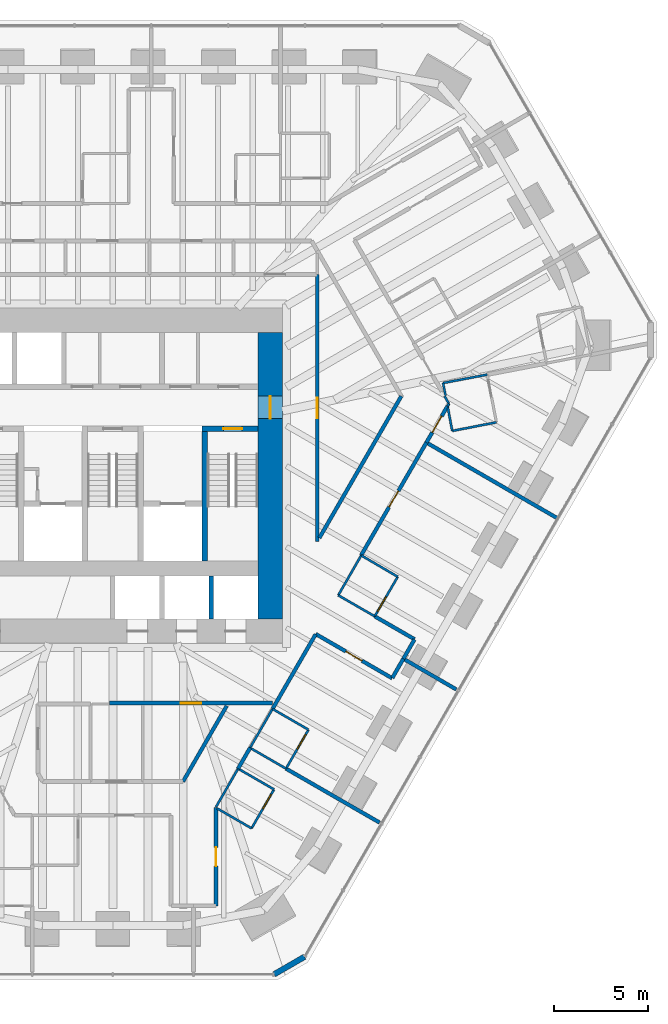
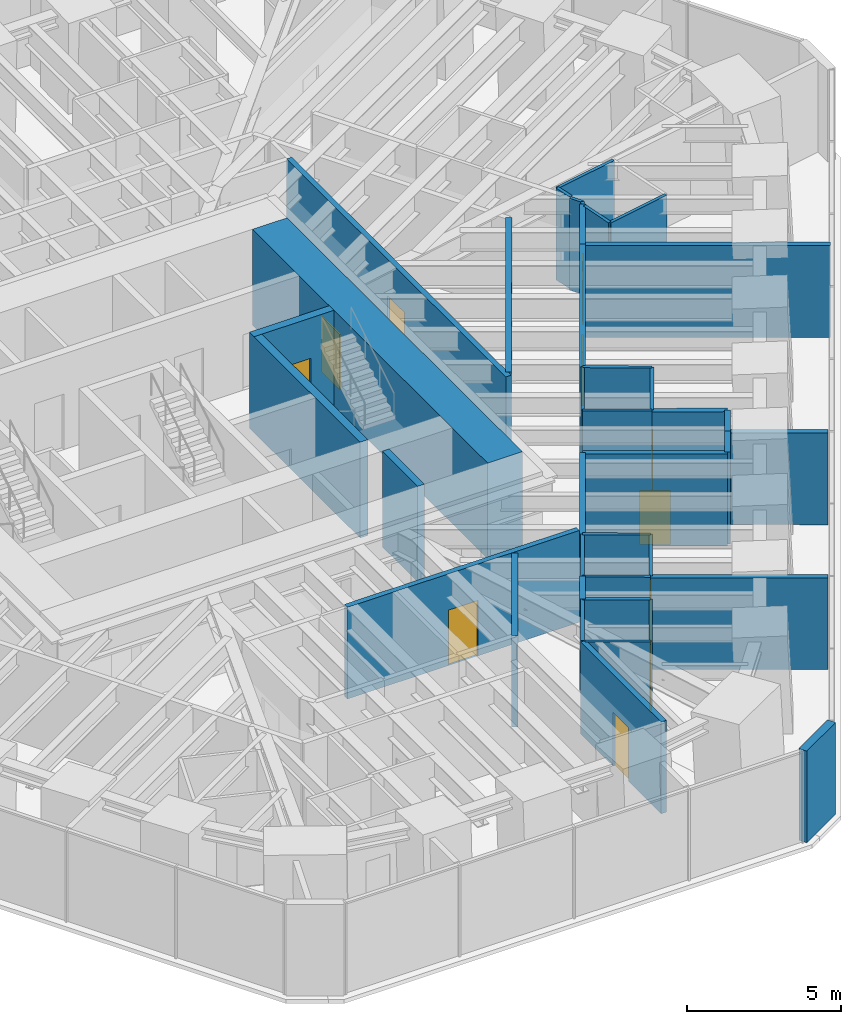
# One storey, part 13 of 17: 39 walls, 11 doors, 11 openings.
"""IFC4 building model written with IfcOpenShell, lengths in metres."""

from ifc_helpers import new_model, si_unit, direction, frame, frame_2d, origin, place, context, subcontext, project, spatial, rectangle, extrude, material, layer, layer_set, type_object, element, fill, save


model = new_model("IFC4")

# Units and contexts
model_context = context("Model", 3, precision=1e-05, world=origin(), true_north=direction((0.0, 1.0)))
body_context = subcontext(model_context, "Body", "Model", "MODEL_VIEW")
ifc_project = project(units=[si_unit("LENGTHUNIT", "METRE"), si_unit("AREAUNIT", "SQUARE_METRE"), si_unit("VOLUMEUNIT", "CUBIC_METRE"), si_unit("PLANEANGLEUNIT", "RADIAN"), si_unit("MASSUNIT", "GRAM", prefix="KILO")], contexts=[model_context])

# Site, building, storey
site_placement = place(None, origin())
site = spatial("IfcSite", under=ifc_project, at=site_placement, CompositionType="ELEMENT")
building_placement = place(site_placement, origin())
building = spatial("IfcBuilding", under=site, at=building_placement, Name="Sandreach Pilgrim Tower", CompositionType="ELEMENT")
storey_placement = place(building_placement, frame((0.0, 0.0, 169.0)))
storey = spatial("IfcBuildingStorey", under=building, at=storey_placement, Name="L42", CompositionType="ELEMENT", Elevation=169.0)

# Walls
ifc_material_1 = material(Name="Moisture-resistant gypsum board on steel studs", Category="steel")
ifc_layer_1 = layer(ifc_material_1, 0.1201171875)
ifc_layer_set_1 = layer_set([ifc_layer_1], Name="Bathroom partition 120")
wall_type_1 = type_object("IfcWallType", Name="Bathroom partition 120", PredefinedType="PARTITIONING", material=ifc_layer_set_1)
wall_1_placement = place(storey_placement, frame((5.510009765625, -19.25, 0.0), z_axis=(0.0, 0.0, 1.0), x_axis=(0.498837591974, 0.866695481028, 0.0)))
element("IfcWall", 1, at=wall_1_placement, inside=storey, type_object=wall_type_1, Name="Bathroom partition L42-111", PredefinedType="PARTITIONING", context=body_context, shape_type="SweptSolid", body=[
    extrude(rectangle(XDim=2.365478515625, YDim=0.1201171875, at=frame_2d((1.1826171875, 0.0))), origin(), (0.0, 0.0, 1.0), 3.639892578125),
])
wall_2_placement = place(storey_placement, frame((5.566162109375, -19.322509765625, 0.0), z_axis=(0.0, 0.0, 1.0), x_axis=(0.865436746432, -0.501018201192, 0.0)))
element("IfcWall", 2, at=wall_2_placement, inside=storey, type_object=wall_type_1, Name="Bathroom partition L42-112", PredefinedType="PARTITIONING", context=body_context, shape_type="SweptSolid", body=[
    extrude(rectangle(XDim=2.13037109375, YDim=0.1201171875, at=frame_2d((1.065185546875, 0.0))), origin(), (0.0, 0.0, 1.0), 3.639892578125),
])
wall_3_placement = place(storey_placement, frame((7.330078125, -16.090087890625, 0.0), z_axis=(0.0, 0.0, 1.0), x_axis=(0.499693115345, 0.866202511239, 0.0)))
element("IfcWall", 3, at=wall_3_placement, inside=storey, type_object=wall_type_1, Name="Bathroom partition L42-120", PredefinedType="PARTITIONING", context=body_context, shape_type="SweptSolid", body=[
    extrude(rectangle(XDim=2.4013671875, YDim=0.1201171875, at=frame_2d((1.20068359375, 0.0))), origin(), (0.0, 0.0, 1.0), 3.639892578125),
])
wall_4_placement = place(storey_placement, frame((7.330078125, -16.090087890625, 0.0), z_axis=(0.0, 0.0, 1.0), x_axis=(0.86575271903, -0.500472006703, 0.0)))
element("IfcWall", 4, at=wall_4_placement, inside=storey, type_object=wall_type_1, Name="Bathroom partition L42-121", PredefinedType="PARTITIONING", context=body_context, shape_type="SweptSolid", body=[
    extrude(rectangle(XDim=2.217529296875, YDim=0.1201171875, at=frame_2d((1.10888671875, 0.0))), origin(), (0.0, 0.0, 1.0), 3.639892578125),
])

# Wall, opening, door
wall_5_placement = place(storey_placement, frame((7.409912109375, -20.389892578125, 0.0), z_axis=(0.0, 0.0, 1.0), x_axis=(0.499737123639, 0.866177122335, 0.0)))
wall_5 = element("IfcWall", 5, at=wall_5_placement, inside=storey, type_object=wall_type_1, Name="Bathroom partition L42-122", PredefinedType="PARTITIONING", context=body_context, shape_type="SweptSolid", body=[
    extrude(rectangle(XDim=2.401123046875, YDim=0.1201171875, at=frame_2d((1.20068359375, 0.0))), origin(), (0.0, 0.0, 1.0), 3.639892578125),
])
opening_1_placement = place(wall_5_placement, frame((1.201416015625, 0.0, 0.0)))
opening_1 = element("IfcOpeningElement", 6, at=opening_1_placement, cuts=wall_5, Name="Opening D09-10B", PredefinedType="OPENING", context=body_context, shape_type="SweptSolid", body=[
    extrude(rectangle(XDim=0.89990234375, YDim=2.030029296875, at=frame_2d((0.449951171875, 1.01513671875))), frame((0.0, 0.06005859375, 0.0), z_axis=(0.0, -1.0, 0.0), x_axis=(1.0, 0.0, 0.0)), (0.0, 0.0, 1.0), 0.1201171875),
])
ifc_material_2 = material(Name="Timber door, steel frame", Category="steel")
door_type_1 = type_object("IfcDoorType", Name="Bathroom door", OperationType="SINGLE_SWING_LEFT", PredefinedType="DOOR", material=ifc_material_2)
door_1_placement = place(opening_1_placement, origin())
door_1 = element("IfcDoor", 7, at=door_1_placement, inside=storey, type_object=door_type_1, Name="Door 4210B", OperationType="SINGLE_SWING_RIGHT", OverallHeight=2.030029296875, OverallWidth=0.89990234375, PredefinedType="DOOR", context=body_context, shape_type="SweptSolid", body=[
    extrude(rectangle(XDim=0.89990234375, YDim=2.030029296875, at=frame_2d((0.449951171875, 1.01513671875))), frame((0.0, 0.02490234375, 0.0), z_axis=(0.0, -1.0, 0.0), x_axis=(1.0, 0.0, 0.0)), (0.0, 0.0, 1.0), 0.050048828125),
])
fill(opening_1, door_1)

# Wall
wall_6_placement = place(storey_placement, frame((8.610107421875, -18.31005859375, 0.0), z_axis=(0.0, 0.0, 1.0), x_axis=(-0.865732595383, 0.500506816428, 0.0)))
element("IfcWall", 8, at=wall_6_placement, inside=storey, type_object=wall_type_1, Name="Bathroom partition L42-125", PredefinedType="PARTITIONING", context=body_context, shape_type="SweptSolid", body=[
    extrude(rectangle(XDim=2.218017578125, YDim=0.1201171875, at=frame_2d((1.10888671875, 0.0))), origin(), (0.0, 0.0, 1.0), 3.639892578125),
])

# Wall, opening, door
wall_7_placement = place(storey_placement, frame((9.25, -17.199951171875, 0.0), z_axis=(0.0, 0.0, 1.0), x_axis=(0.499737123639, 0.866177122335, 0.0)))
wall_7 = element("IfcWall", 9, at=wall_7_placement, inside=storey, type_object=wall_type_1, Name="Bathroom partition L42-133", PredefinedType="PARTITIONING", context=body_context, shape_type="SweptSolid", body=[
    extrude(rectangle(XDim=2.401123046875, YDim=0.1201171875, at=frame_2d((1.20068359375, 0.0))), origin(), (0.0, 0.0, 1.0), 3.639892578125),
])
opening_2_placement = place(wall_7_placement, frame((1.201416015625, 0.0, 0.0)))
opening_2 = element("IfcOpeningElement", 10, at=opening_2_placement, cuts=wall_7, Name="Opening D09-09B", PredefinedType="OPENING", context=body_context, shape_type="SweptSolid", body=[
    extrude(rectangle(XDim=0.89990234375, YDim=2.030029296875, at=frame_2d((0.449951171875, 1.01513671875))), frame((0.0, 0.06005859375, 0.0), z_axis=(0.0, -1.0, 0.0), x_axis=(1.0, 0.0, 0.0)), (0.0, 0.0, 1.0), 0.1201171875),
])
door_2_placement = place(opening_2_placement, origin())
door_2 = element("IfcDoor", 11, at=door_2_placement, inside=storey, type_object=door_type_1, Name="Door 4209B", OperationType="SINGLE_SWING_RIGHT", OverallHeight=2.030029296875, OverallWidth=0.89990234375, PredefinedType="DOOR", context=body_context, shape_type="SweptSolid", body=[
    extrude(rectangle(XDim=0.89990234375, YDim=2.030029296875, at=frame_2d((0.449951171875, 1.01513671875))), frame((0.0, 0.02490234375, 0.0), z_axis=(0.0, -1.0, 0.0), x_axis=(1.0, 0.0, 0.0)), (0.0, 0.0, 1.0), 0.050048828125),
])
fill(opening_2, door_2)

# Walls
wall_8_placement = place(storey_placement, frame((10.449951171875, -15.1201171875, 0.0), z_axis=(0.0, 0.0, 1.0), x_axis=(-0.865705017107, 0.500554515868, 0.0)))
element("IfcWall", 12, at=wall_8_placement, inside=storey, type_object=wall_type_1, Name="Bathroom partition L42-135", PredefinedType="PARTITIONING", context=body_context, shape_type="SweptSolid", body=[
    extrude(rectangle(XDim=2.2177734375, YDim=0.1201171875, at=frame_2d((1.10888671875, 0.0))), origin(), (0.0, 0.0, 1.0), 3.639892578125),
])
wall_9_placement = place(storey_placement, frame((12.0400390625, -7.93994140625, 0.0), z_axis=(0.0, 0.0, 1.0), x_axis=(0.866514327193, -0.499152202008, 0.0)))
element("IfcWall", 13, at=wall_9_placement, inside=storey, type_object=wall_type_1, Name="Bathroom partition L42-145", PredefinedType="PARTITIONING", context=body_context, shape_type="SweptSolid", body=[
    extrude(rectangle(XDim=2.2490234375, YDim=0.1201171875, at=frame_2d((1.12451171875, 0.0))), origin(), (0.0, 0.0, 1.0), 3.639892578125),
])
wall_10_placement = place(storey_placement, frame((13.27001953125, -5.81005859375, 0.0), z_axis=(0.0, 0.0, 1.0), x_axis=(-0.500089055364, -0.86597398154, 0.0)))
element("IfcWall", 14, at=wall_10_placement, inside=storey, type_object=wall_type_1, Name="Bathroom partition L42-149", PredefinedType="PARTITIONING", context=body_context, shape_type="SweptSolid", body=[
    extrude(rectangle(XDim=2.45947265625, YDim=0.1201171875, at=frame_2d((1.229736328125, 0.0))), origin(), (0.0, 0.0, 1.0), 3.639892578125),
])

# Wall, opening, door
wall_11_placement = place(storey_placement, frame((13.989990234375, -9.06005859375, 0.0), z_axis=(0.0, 0.0, 1.0), x_axis=(0.503591322258, 0.863942000453, 0.0)))
wall_11 = element("IfcWall", 15, at=wall_11_placement, inside=storey, type_object=wall_type_1, Name="Bathroom partition L42-151", PredefinedType="PARTITIONING", context=body_context, shape_type="SweptSolid", body=[
    extrude(rectangle(XDim=2.4423828125, YDim=0.1201171875, at=frame_2d((1.22119140625, 0.0))), origin(), (0.0, 0.0, 1.0), 3.639892578125),
])
opening_3_placement = place(wall_11_placement, frame((0.300048828125, 0.0, 0.0)))
opening_3 = element("IfcOpeningElement", 16, at=opening_3_placement, cuts=wall_11, Name="Opening D09-08B", PredefinedType="OPENING", context=body_context, shape_type="SweptSolid", body=[
    extrude(rectangle(XDim=0.89990234375, YDim=2.030029296875, at=frame_2d((0.449951171875, 1.01513671875))), frame((0.0, 0.06005859375, 0.0), z_axis=(0.0, -1.0, 0.0), x_axis=(1.0, 0.0, 0.0)), (0.0, 0.0, 1.0), 0.1201171875),
])
door_3_placement = place(opening_3_placement, origin())
door_3 = element("IfcDoor", 17, at=door_3_placement, inside=storey, type_object=door_type_1, Name="Door 4208B", OperationType="SINGLE_SWING_LEFT", OverallHeight=2.030029296875, OverallWidth=0.89990234375, PredefinedType="DOOR", context=body_context, shape_type="SweptSolid", body=[
    extrude(rectangle(XDim=0.89990234375, YDim=2.030029296875, at=frame_2d((0.449951171875, 1.01513671875))), frame((0.0, 0.02490234375, 0.0), z_axis=(0.0, -1.0, 0.0), x_axis=(1.0, 0.0, 0.0)), (0.0, 0.0, 1.0), 0.050048828125),
])
fill(opening_3, door_3)

# Walls
wall_12_placement = place(storey_placement, frame((15.219970703125, -6.949951171875, 0.0), z_axis=(0.0, 0.0, 1.0), x_axis=(-0.863312009027, 0.50467056093, 0.0)))
element("IfcWall", 18, at=wall_12_placement, inside=storey, type_object=wall_type_1, Name="Bathroom partition L42-154", PredefinedType="PARTITIONING", context=body_context, shape_type="SweptSolid", body=[
    extrude(rectangle(XDim=2.2587890625, YDim=0.1201171875, at=frame_2d((1.12939453125, 0.0))), origin(), (0.0, 0.0, 1.0), 3.639892578125),
])
wall_13_placement = place(storey_placement, frame((17.639892578125, 3.39990234375, 0.0), z_axis=(0.0, 0.0, 1.0), x_axis=(0.982288725898, 0.187373581313, 0.0)))
element("IfcWall", 19, at=wall_13_placement, inside=storey, type_object=wall_type_1, Name="Bathroom partition L42-161", PredefinedType="PARTITIONING", context=body_context, shape_type="SweptSolid", body=[
    extrude(rectangle(XDim=2.402587890625, YDim=0.1201171875, at=frame_2d((1.201171875, 0.0))), origin(), (0.0, 0.0, 1.0), 3.639892578125),
])
wall_14_placement = place(storey_placement, frame((17.719970703125, 2.699951171875, 0.0), z_axis=(0.0, 0.0, 1.0), x_axis=(0.498530782172, -0.866871997025, 0.0)))
element("IfcWall", 20, at=wall_14_placement, inside=storey, type_object=wall_type_1, Name="Bathroom partition L42-162", PredefinedType="PARTITIONING", context=body_context, shape_type="SweptSolid", body=[
    extrude(rectangle(XDim=0.46142578125, YDim=0.1201171875, at=frame_2d((0.230712890625, 0.0))), origin(), (0.0, 0.0, 1.0), 3.639892578125),
])
wall_15_placement = place(storey_placement, frame((17.773681640625, 2.7314453125, 0.0), z_axis=(0.0, 0.0, 1.0), x_axis=(-0.196253874553, 0.980553117747, 0.0)))
element("IfcWall", 21, at=wall_15_placement, inside=storey, type_object=wall_type_1, Name="Bathroom partition L42-163", PredefinedType="PARTITIONING", context=body_context, shape_type="SweptSolid", body=[
    extrude(rectangle(XDim=0.681640625, YDim=0.1201171875, at=frame_2d((0.3408203125, 0.0))), origin(), (0.0, 0.0, 1.0), 3.639892578125),
])
wall_16_placement = place(storey_placement, frame((17.8798828125, 2.169921875, 0.0), z_axis=(0.0, 0.0, 1.0), x_axis=(0.474099823035, 0.880471099922, 0.0)))
element("IfcWall", 22, at=wall_16_placement, inside=storey, type_object=wall_type_1, Name="Bathroom partition L42-164", PredefinedType="PARTITIONING", context=body_context, shape_type="SweptSolid", body=[
    extrude(rectangle(XDim=0.147705078125, YDim=0.1201171875, at=frame_2d((0.07373046875, 0.0))), origin(), (0.0, 0.0, 1.0), 3.639892578125),
])
wall_17_placement = place(storey_placement, frame((17.896728515625, 2.08154296875, 0.0), z_axis=(0.0, 0.0, 1.0), x_axis=(0.184580266957, -0.982817442382, 0.0)))
element("IfcWall", 23, at=wall_17_placement, inside=storey, type_object=wall_type_1, Name="Bathroom partition L42-165", PredefinedType="PARTITIONING", context=body_context, shape_type="SweptSolid", body=[
    extrude(rectangle(XDim=1.26318359375, YDim=0.1201171875, at=frame_2d((0.631591796875, 0.0))), origin(), (0.0, 0.0, 1.0), 3.639892578125),
])
wall_18_placement = place(storey_placement, frame((18.1298828125, 0.840087890625, 0.0), z_axis=(0.0, 0.0, 1.0), x_axis=(0.981533392326, 0.191290877329, 0.0)))
element("IfcWall", 24, at=wall_18_placement, inside=storey, type_object=wall_type_1, Name="Bathroom partition L42-166", PredefinedType="PARTITIONING", context=body_context, shape_type="SweptSolid", body=[
    extrude(rectangle(XDim=2.404541015625, YDim=0.1201171875, at=frame_2d((1.2021484375, 0.0))), origin(), (0.0, 0.0, 1.0), 3.639892578125),
])
ifc_material_3 = material(Name="Concrete 10000 psi", Category="concrete")
ifc_layer_2 = layer(ifc_material_3, 0.300048828125)
ifc_layer_set_2 = layer_set([ifc_layer_2], Name="Core inner wall 300")
wall_type_2 = type_object("IfcWallType", Name="Core inner wall 300", PredefinedType="SHEAR", material=ifc_layer_set_2)
wall_19_placement = place(storey_placement, frame((4.89990234375, -6.10009765625, 0.0), z_axis=(0.0, 0.0, 1.0), x_axis=(0.0, 1.0, 0.0)))
element("IfcWall", 25, at=wall_19_placement, inside=storey, type_object=wall_type_2, Name="Core wall I3 L42", PredefinedType="SHEAR", context=body_context, shape_type="SweptSolid", body=[
    extrude(rectangle(XDim=7.2001953125, YDim=0.300048828125, at=frame_2d((3.60009765625, 0.0))), origin(), (0.0, 0.0, 1.0), 3.800048828125),
])

# Wall, opening, door
wall_20_placement = place(storey_placement, frame((4.75, 0.949951171875, 0.0), z_axis=(0.0, 0.0, 1.0), x_axis=(1.0, 0.0, 0.0)))
wall_20 = element("IfcWall", 26, at=wall_20_placement, inside=storey, type_object=wall_type_2, Name="Core wall SN2 L42", PredefinedType="SHEAR", context=body_context, shape_type="SweptSolid", body=[
    extrude(rectangle(XDim=3.0, YDim=0.300048828125, at=frame_2d((1.5, 0.0))), origin(), (0.0, 0.0, 1.0), 3.800048828125),
])
opening_4_placement = place(wall_20_placement, frame((1.14990234375, 0.0, 0.0)))
opening_4 = element("IfcOpeningElement", 27, at=opening_4_placement, cuts=wall_20, Name="Opening D10S-ST2", PredefinedType="OPENING", context=body_context, shape_type="SweptSolid", body=[
    extrude(rectangle(XDim=1.0, YDim=2.199951171875, at=frame_2d((0.5, 1.10009765625))), frame((0.0, 0.14990234375, 0.0), z_axis=(0.0, -1.0, 0.0), x_axis=(1.0, 0.0, 0.0)), (0.0, 0.0, 1.0), 0.300048828125),
])
ifc_material_4 = material(Name="Steel door and frame", Category="steel")
door_type_2 = type_object("IfcDoorType", Name="Stair door", OperationType="SINGLE_SWING_LEFT", PredefinedType="DOOR", material=ifc_material_4)
door_4_placement = place(opening_4_placement, origin())
door_4 = element("IfcDoor", 28, at=door_4_placement, inside=storey, type_object=door_type_2, Name="Stair door ST2 L42", OperationType="SINGLE_SWING_RIGHT", OverallHeight=2.199951171875, OverallWidth=1.0, PredefinedType="DOOR", context=body_context, shape_type="SweptSolid", body=[
    extrude(rectangle(XDim=1.0, YDim=2.199951171875, at=frame_2d((0.5, 1.10009765625))), frame((0.0, 0.02490234375, 0.0), z_axis=(0.0, -1.0, 0.0), x_axis=(1.0, 0.0, 0.0)), (0.0, 0.0, 1.0), 0.050048828125),
])
fill(opening_4, door_4)

ifc_material_5 = material(Name="Concrete 10000 psi", Category="concrete")
ifc_layer_3 = layer(ifc_material_5, 1.300048828125)
ifc_layer_set_3 = layer_set([ifc_layer_3], Name="Core wall 1300")
wall_type_3 = type_object("IfcWallType", Name="Core wall 1300", PredefinedType="SHEAR", material=ifc_layer_set_3)
wall_21_placement = place(storey_placement, frame((8.39990234375, -9.199951171875, 0.0), z_axis=(0.0, 0.0, 1.0), x_axis=(0.0, 1.0, 0.0)))
wall_21 = element("IfcWall", 29, at=wall_21_placement, inside=storey, type_object=wall_type_3, Name="Core wall E L42", PredefinedType="SHEAR", context=body_context, shape_type="SweptSolid", body=[
    extrude(rectangle(XDim=15.300048828125, YDim=1.300048828125, at=frame_2d((7.64990234375, 0.0))), origin(), (0.0, 0.0, 1.0), 3.800048828125),
])
opening_5_placement = place(wall_21_placement, frame((10.699951171875, 0.0, 0.0)))
opening_5 = element("IfcOpeningElement", 30, at=opening_5_placement, cuts=wall_21, Name="Opening D12F-E", PredefinedType="OPENING", context=body_context, shape_type="SweptSolid", body=[
    extrude(rectangle(XDim=1.199951171875, YDim=2.199951171875, at=frame_2d((0.60009765625, 1.10009765625))), frame((0.0, 0.64990234375, 0.0), z_axis=(0.0, -1.0, 0.0), x_axis=(1.0, 0.0, 0.0)), (0.0, 0.0, 1.0), 1.300048828125),
])
ifc_material_6 = material(Name="Steel door and frame", Category="steel")
door_type_3 = type_object("IfcDoorType", Name="Fire lobby door", OperationType="SINGLE_SWING_LEFT", PredefinedType="DOOR", material=ifc_material_6)
door_5_placement = place(opening_5_placement, origin())
door_5 = element("IfcDoor", 31, at=door_5_placement, inside=storey, type_object=door_type_3, Name="Fire service lobby door E L42", OperationType="SINGLE_SWING_RIGHT", OverallHeight=2.199951171875, OverallWidth=1.199951171875, PredefinedType="DOOR", context=body_context, shape_type="SweptSolid", body=[
    extrude(rectangle(XDim=1.199951171875, YDim=2.199951171875, at=frame_2d((0.60009765625, 1.10009765625))), frame((0.0, 0.02490234375, 0.0), z_axis=(0.0, -1.0, 0.0), x_axis=(1.0, 0.0, 0.0)), (0.0, 0.0, 1.0), 0.050048828125),
])
fill(opening_5, door_5)

ifc_material_7 = material(Name="Gypsum board on steel studs, two layers each side", Category="steel")
ifc_layer_4 = layer(ifc_material_7, 0.199951171875)
ifc_layer_set_4 = layer_set([ifc_layer_4], Name="Corridor wall 200")
wall_type_4 = type_object("IfcWallType", Name="Corridor wall 200", PredefinedType="PARTITIONING", material=ifc_layer_set_4)
wall_22_placement = place(storey_placement, frame((5.510009765625, -24.530029296875, 0.0), z_axis=(0.0, 0.0, 1.0), x_axis=(0.0, 1.0, 0.0)))
wall_22 = element("IfcWall", 32, at=wall_22_placement, inside=storey, type_object=wall_type_4, Name="Corridor wall L42-110", PredefinedType="PARTITIONING", context=body_context, shape_type="SweptSolid", body=[
    extrude(rectangle(XDim=5.239990234375, YDim=0.199951171875, at=frame_2d((2.6201171875, 0.0))), origin(), (0.0, 0.0, 1.0), 3.639892578125),
])
opening_6_placement = place(wall_22_placement, frame((2.1201171875, 0.0, 0.0)))
opening_6 = element("IfcOpeningElement", 33, at=opening_6_placement, cuts=wall_22, Name="Opening D10-10", PredefinedType="OPENING", context=body_context, shape_type="SweptSolid", body=[
    extrude(rectangle(XDim=1.0, YDim=2.1298828125, at=frame_2d((0.5, 1.06494140625))), frame((0.0, 0.10009765625, 0.0), z_axis=(0.0, -1.0, 0.0), x_axis=(1.0, 0.0, 0.0)), (0.0, 0.0, 1.0), 0.199951171875),
])
ifc_material_8 = material(Name="Steel door and frame", Category="steel")
door_type_4 = type_object("IfcDoorType", Name="Guest room entry door", OperationType="SINGLE_SWING_LEFT", PredefinedType="DOOR", material=ifc_material_8)
door_6_placement = place(opening_6_placement, origin())
door_6 = element("IfcDoor", 34, at=door_6_placement, inside=storey, type_object=door_type_4, Name="Door 4210", OperationType="SINGLE_SWING_LEFT", OverallHeight=2.1298828125, OverallWidth=1.0, PredefinedType="DOOR", context=body_context, shape_type="SweptSolid", body=[
    extrude(rectangle(XDim=1.0, YDim=2.1298828125, at=frame_2d((0.5, 1.06494140625))), frame((0.0, 0.02490234375, 0.0), z_axis=(0.0, -1.0, 0.0), x_axis=(1.0, 0.0, 0.0)), (0.0, 0.0, 1.0), 0.050048828125),
])
fill(opening_6, door_6)

# Walls
wall_23_placement = place(storey_placement, frame((6.08251953125, -13.849609375, 0.0), z_axis=(0.0, 0.0, 1.0), x_axis=(-0.499977643516, -0.866038310922, 0.0)))
element("IfcWall", 35, at=wall_23_placement, inside=storey, type_object=wall_type_4, Name="Corridor wall L42-113", PredefinedType="PARTITIONING", context=body_context, shape_type="SweptSolid", body=[
    extrude(rectangle(XDim=4.665283203125, YDim=0.199951171875, at=frame_2d((2.33251953125, 0.0))), origin(), (0.0, 0.0, 1.0), 3.639892578125),
])
wall_24_placement = place(storey_placement, frame((6.68994140625, -17.199951171875, 0.0), z_axis=(0.0, 0.0, 1.0), x_axis=(0.499623473928, 0.866242682105, 0.0)))
element("IfcWall", 36, at=wall_24_placement, inside=storey, type_object=wall_type_4, Name="Corridor wall L42-119", PredefinedType="PARTITIONING", context=body_context, shape_type="SweptSolid", body=[
    extrude(rectangle(XDim=1.28125, YDim=0.199951171875, at=frame_2d((0.640625, 0.0))), origin(), (0.0, 0.0, 1.0), 3.639892578125),
])
wall_25_placement = place(storey_placement, frame((8.530029296875, -14.010009765625, 0.0), z_axis=(0.0, 0.0, 1.0), x_axis=(0.500091179446, 0.865972754907, 0.0)))
element("IfcWall", 37, at=wall_25_placement, inside=storey, type_object=wall_type_4, Name="Corridor wall L42-123", PredefinedType="PARTITIONING", context=body_context, shape_type="SweptSolid", body=[
    extrude(rectangle(XDim=4.604248046875, YDim=0.199951171875, at=frame_2d((2.30224609375, 0.0))), origin(), (0.0, 0.0, 1.0), 3.639892578125),
])

# Wall, opening, door
wall_26_placement = place(storey_placement, frame((8.53369140625, -13.699951171875, 0.0), z_axis=(0.0, 0.0, 1.0), x_axis=(-1.0, 0.0, 0.0)))
wall_26 = element("IfcWall", 38, at=wall_26_placement, inside=storey, type_object=wall_type_4, Name="Corridor wall L42-124", PredefinedType="PARTITIONING", context=body_context, shape_type="SweptSolid", body=[
    extrude(rectangle(XDim=8.70361328125, YDim=0.199951171875, at=frame_2d((4.351806640625, 0.0))), origin(), (0.0, 0.0, 1.0), 3.639892578125),
])
opening_7_placement = place(wall_26_placement, frame((3.8017578125, 0.0, 0.0)))
opening_7 = element("IfcOpeningElement", 39, at=opening_7_placement, cuts=wall_26, Name="Opening D11H-S4", PredefinedType="OPENING", context=body_context, shape_type="SweptSolid", body=[
    extrude(rectangle(XDim=1.10009765625, YDim=2.199951171875, at=frame_2d((0.550048828125, 1.10009765625))), frame((0.0, 0.10009765625, 0.0), z_axis=(0.0, -1.0, 0.0), x_axis=(1.0, 0.0, 0.0)), (0.0, 0.0, 1.0), 0.199951171875),
])
ifc_material_9 = material(Name="Steel door and frame", Category="steel")
door_type_5 = type_object("IfcDoorType", Name="Back of house door", OperationType="SINGLE_SWING_LEFT", PredefinedType="DOOR", material=ifc_material_9)
door_7_placement = place(opening_7_placement, origin())
door_7 = element("IfcDoor", 40, at=door_7_placement, inside=storey, type_object=door_type_5, Name="Door 42S4", OperationType="SINGLE_SWING_LEFT", OverallHeight=2.199951171875, OverallWidth=1.10009765625, PredefinedType="DOOR", context=body_context, shape_type="SweptSolid", body=[
    extrude(rectangle(XDim=1.10009765625, YDim=2.199951171875, at=frame_2d((0.550048828125, 1.10009765625))), frame((0.0, 0.02490234375, 0.0), z_axis=(0.0, -1.0, 0.0), x_axis=(1.0, 0.0, 0.0)), (0.0, 0.0, 1.0), 0.050048828125),
])
fill(opening_7, door_7)

wall_27_placement = place(storey_placement, frame((10.840087890625, -10.010009765625, 0.0), z_axis=(0.0, 0.0, 1.0), x_axis=(0.865601186274, -0.500734047496, 0.0)))
wall_27 = element("IfcWall", 41, at=wall_27_placement, inside=storey, type_object=wall_type_4, Name="Corridor wall L42-137", PredefinedType="PARTITIONING", context=body_context, shape_type="SweptSolid", body=[
    extrude(rectangle(XDim=4.71337890625, YDim=0.199951171875, at=frame_2d((2.356689453125, 0.0))), origin(), (0.0, 0.0, 1.0), 3.639892578125),
])
opening_8_placement = place(wall_27_placement, frame((1.856689453125, 0.0, 0.0)))
opening_8 = element("IfcOpeningElement", 42, at=opening_8_placement, cuts=wall_27, Name="Opening D10-09", PredefinedType="OPENING", context=body_context, shape_type="SweptSolid", body=[
    extrude(rectangle(XDim=1.0, YDim=2.1298828125, at=frame_2d((0.5, 1.06494140625))), frame((0.0, 0.10009765625, 0.0), z_axis=(0.0, -1.0, 0.0), x_axis=(1.0, 0.0, 0.0)), (0.0, 0.0, 1.0), 0.199951171875),
])
door_8_placement = place(opening_8_placement, origin())
door_8 = element("IfcDoor", 43, at=door_8_placement, inside=storey, type_object=door_type_4, Name="Door 4209", OperationType="SINGLE_SWING_LEFT", OverallHeight=2.1298828125, OverallWidth=1.0, PredefinedType="DOOR", context=body_context, shape_type="SweptSolid", body=[
    extrude(rectangle(XDim=1.0, YDim=2.1298828125, at=frame_2d((0.5, 1.06494140625))), frame((0.0, 0.02490234375, 0.0), z_axis=(0.0, -1.0, 0.0), x_axis=(1.0, 0.0, 0.0)), (0.0, 0.0, 1.0), 0.050048828125),
])
fill(opening_8, door_8)

wall_28_placement = place(storey_placement, frame((10.919921875, -5.070068359375, 0.0), z_axis=(0.0, 0.0, 1.0), x_axis=(0.0, 1.0, 0.0)))
wall_28 = element("IfcWall", 44, at=wall_28_placement, inside=storey, type_object=wall_type_4, Name="Corridor wall L42-139", PredefinedType="PARTITIONING", context=body_context, shape_type="SweptSolid", body=[
    extrude(rectangle(XDim=14.27001953125, YDim=0.199951171875, at=frame_2d((7.135009765625, 0.0))), origin(), (0.0, 0.0, 1.0), 3.639892578125),
])
opening_9_placement = place(wall_28_placement, frame((6.5849609375, 0.0, 0.0)))
opening_9 = element("IfcOpeningElement", 45, at=opening_9_placement, cuts=wall_28, Name="Opening D11H-M07", PredefinedType="OPENING", context=body_context, shape_type="SweptSolid", body=[
    extrude(rectangle(XDim=1.10009765625, YDim=2.199951171875, at=frame_2d((0.550048828125, 1.10009765625))), frame((0.0, 0.10009765625, 0.0), z_axis=(0.0, -1.0, 0.0), x_axis=(1.0, 0.0, 0.0)), (0.0, 0.0, 1.0), 0.199951171875),
])
door_9_placement = place(opening_9_placement, origin())
door_9 = element("IfcDoor", 46, at=door_9_placement, inside=storey, type_object=door_type_5, Name="Door 42M07", OperationType="SINGLE_SWING_LEFT", OverallHeight=2.199951171875, OverallWidth=1.10009765625, PredefinedType="DOOR", context=body_context, shape_type="SweptSolid", body=[
    extrude(rectangle(XDim=1.10009765625, YDim=2.199951171875, at=frame_2d((0.550048828125, 1.10009765625))), frame((0.0, 0.02490234375, 0.0), z_axis=(0.0, -1.0, 0.0), x_axis=(1.0, 0.0, 0.0)), (0.0, 0.0, 1.0), 0.050048828125),
])
fill(opening_9, door_9)

wall_29_placement = place(storey_placement, frame((13.260009765625, -5.81005859375, 0.0), z_axis=(0.0, 0.0, 1.0), x_axis=(0.500920236046, 0.865493452962, 0.0)))
wall_29 = element("IfcWall", 47, at=wall_29_placement, inside=storey, type_object=wall_type_4, Name="Corridor wall L42-148", PredefinedType="PARTITIONING", context=body_context, shape_type="SweptSolid", body=[
    extrude(rectangle(XDim=6.967041015625, YDim=0.199951171875, at=frame_2d((3.4833984375, 0.0))), origin(), (0.0, 0.0, 1.0), 3.639892578125),
])
opening_10_placement = place(wall_29_placement, frame((2.983642578125, 0.0, 0.0)))
opening_10 = element("IfcOpeningElement", 48, at=opening_10_placement, cuts=wall_29, Name="Opening D10-08", PredefinedType="OPENING", context=body_context, shape_type="SweptSolid", body=[
    extrude(rectangle(XDim=1.0, YDim=2.1298828125, at=frame_2d((0.5, 1.06494140625))), frame((0.0, 0.10009765625, 0.0), z_axis=(0.0, -1.0, 0.0), x_axis=(1.0, 0.0, 0.0)), (0.0, 0.0, 1.0), 0.199951171875),
])
door_10_placement = place(opening_10_placement, origin())
door_10 = element("IfcDoor", 49, at=door_10_placement, inside=storey, type_object=door_type_4, Name="Door 4208", OperationType="SINGLE_SWING_LEFT", OverallHeight=2.1298828125, OverallWidth=1.0, PredefinedType="DOOR", context=body_context, shape_type="SweptSolid", body=[
    extrude(rectangle(XDim=1.0, YDim=2.1298828125, at=frame_2d((0.5, 1.06494140625))), frame((0.0, 0.02490234375, 0.0), z_axis=(0.0, -1.0, 0.0), x_axis=(1.0, 0.0, 0.0)), (0.0, 0.0, 1.0), 0.050048828125),
])
fill(opening_10, door_10)

# Walls
wall_30_placement = place(storey_placement, frame((13.98876953125, -9.0625, 0.0), z_axis=(0.0, 0.0, 1.0), x_axis=(0.866552212275, -0.499086428788, 0.0)))
element("IfcWall", 50, at=wall_30_placement, inside=storey, type_object=wall_type_4, Name="Corridor wall L42-150", PredefinedType="PARTITIONING", context=body_context, shape_type="SweptSolid", body=[
    extrude(rectangle(XDim=2.45947265625, YDim=0.199951171875, at=frame_2d((1.229736328125, 0.0))), origin(), (0.0, 0.0, 1.0), 3.639892578125),
])
wall_31_placement = place(storey_placement, frame((14.927490234375, -12.35693359375, 0.0), z_axis=(0.0, 0.0, 1.0), x_axis=(0.499793761865, 0.866144442689, 0.0)))
element("IfcWall", 51, at=wall_31_placement, inside=storey, type_object=wall_type_4, Name="Corridor wall L42-153", PredefinedType="PARTITIONING", context=body_context, shape_type="SweptSolid", body=[
    extrude(rectangle(XDim=1.185546875, YDim=0.199951171875, at=frame_2d((0.5927734375, 0.0))), origin(), (0.0, 0.0, 1.0), 3.639892578125),
])
wall_32_placement = place(storey_placement, frame((15.409912109375, 2.699951171875, 0.0), z_axis=(0.0, 0.0, 1.0), x_axis=(-0.50033800158, -0.865830170516, 0.0)))
element("IfcWall", 52, at=wall_32_placement, inside=storey, type_object=wall_type_4, Name="Corridor wall L42-155", PredefinedType="PARTITIONING", context=body_context, shape_type="SweptSolid", body=[
    extrude(rectangle(XDim=8.75390625, YDim=0.199951171875, at=frame_2d((4.376953125, 0.0))), origin(), (0.0, 0.0, 1.0), 3.639892578125),
])
wall_33_placement = place(storey_placement, frame((15.52001953125, -11.330078125, 0.0), z_axis=(0.0, 0.0, 1.0), x_axis=(0.499704629046, 0.866195869137, 0.0)))
element("IfcWall", 53, at=wall_33_placement, inside=storey, type_object=wall_type_4, Name="Corridor wall L42-156", PredefinedType="PARTITIONING", context=body_context, shape_type="SweptSolid", body=[
    extrude(rectangle(XDim=1.185791015625, YDim=0.199951171875, at=frame_2d((0.5927734375, 0.0))), origin(), (0.0, 0.0, 1.0), 3.639892578125),
])

# Wall, opening, door
wall_34_placement = place(storey_placement, frame((16.75, 0.219970703125, 0.0), z_axis=(0.0, 0.0, 1.0), x_axis=(0.501437604422, 0.865193810006, 0.0)))
wall_34 = element("IfcWall", 54, at=wall_34_placement, inside=storey, type_object=wall_type_4, Name="Corridor wall L42-159", PredefinedType="PARTITIONING", context=body_context, shape_type="SweptSolid", body=[
    extrude(rectangle(XDim=2.253662109375, YDim=0.199951171875, at=frame_2d((1.126953125, 0.0))), origin(), (0.0, 0.0, 1.0), 3.639892578125),
])
opening_11_placement = place(wall_34_placement, frame((0.626953125, 0.0, 0.0)))
opening_11 = element("IfcOpeningElement", 55, at=opening_11_placement, cuts=wall_34, Name="Opening D10-07", PredefinedType="OPENING", context=body_context, shape_type="SweptSolid", body=[
    extrude(rectangle(XDim=1.0, YDim=2.1298828125, at=frame_2d((0.5, 1.06494140625))), frame((0.0, 0.10009765625, 0.0), z_axis=(0.0, -1.0, 0.0), x_axis=(1.0, 0.0, 0.0)), (0.0, 0.0, 1.0), 0.199951171875),
])
door_11_placement = place(opening_11_placement, origin())
door_11 = element("IfcDoor", 56, at=door_11_placement, inside=storey, type_object=door_type_4, Name="Door 4207", OperationType="SINGLE_SWING_LEFT", OverallHeight=2.1298828125, OverallWidth=1.0, PredefinedType="DOOR", context=body_context, shape_type="SweptSolid", body=[
    extrude(rectangle(XDim=1.0, YDim=2.1298828125, at=frame_2d((0.5, 1.06494140625))), frame((0.0, 0.02490234375, 0.0), z_axis=(0.0, -1.0, 0.0), x_axis=(1.0, 0.0, 0.0)), (0.0, 0.0, 1.0), 0.050048828125),
])
fill(opening_11, door_11)

# Walls
ifc_material_10 = material(Name="Double steel stud acoustic wall, gypsum board", Category="steel")
ifc_layer_5 = layer(ifc_material_10, 0.199951171875)
ifc_layer_set_5 = layer_set([ifc_layer_5], Name="Party wall 200")
wall_type_5 = type_object("IfcWallType", Name="Party wall 200", PredefinedType="PARTITIONING", material=ifc_layer_set_5)
wall_35_placement = place(storey_placement, frame((9.25, -17.199951171875, 0.0), z_axis=(0.0, 0.0, 1.0), x_axis=(0.866353281607, -0.499431668448, 0.0)))
element("IfcWall", 57, at=wall_35_placement, inside=storey, type_object=wall_type_5, Name="Party wall L42-134", PredefinedType="PARTITIONING", context=body_context, shape_type="SweptSolid", body=[
    extrude(rectangle(XDim=5.766845703125, YDim=0.199951171875, at=frame_2d((2.88330078125, 0.0))), origin(), (0.0, 0.0, 1.0), 3.639892578125),
])
wall_36_placement = place(storey_placement, frame((18.34619140625, -12.9697265625, 0.0), z_axis=(0.0, 0.0, 1.0), x_axis=(-0.864944520915, 0.501867488227, 0.0)))
element("IfcWall", 58, at=wall_36_placement, inside=storey, type_object=wall_type_5, Name="Party wall L42-167", PredefinedType="PARTITIONING", context=body_context, shape_type="SweptSolid", body=[
    extrude(rectangle(XDim=3.25244140625, YDim=0.199951171875, at=frame_2d((1.626220703125, 0.0))), origin(), (0.0, 0.0, 1.0), 3.639892578125),
])
wall_37_placement = place(storey_placement, frame((23.734130859375, -3.81494140625, 0.0), z_axis=(0.0, 0.0, 1.0), x_axis=(-0.865889592382, 0.500235158505, 0.0)))
element("IfcWall", 59, at=wall_37_placement, inside=storey, type_object=wall_type_5, Name="Party wall L42-178", PredefinedType="PARTITIONING", context=body_context, shape_type="SweptSolid", body=[
    extrude(rectangle(XDim=8.05078125, YDim=0.199951171875, at=frame_2d((4.025390625, 0.0))), origin(), (0.0, 0.0, 1.0), 3.639892578125),
])
ifc_material_11 = material(Name="Gypsum shaft wall on steel studs, two layers of shaft liner board", Category="steel")
ifc_layer_6 = layer(ifc_material_11, 0.25)
ifc_layer_set_6 = layer_set([ifc_layer_6], Name="Shaft partition 250")
wall_type_6 = type_object("IfcWallType", Name="Shaft partition 250", PredefinedType="PARTITIONING", material=ifc_layer_set_6)
wall_38_placement = place(storey_placement, frame((5.25, -9.199951171875, 0.0), z_axis=(0.0, 0.0, 1.0), x_axis=(0.0, 1.0, 0.0)))
element("IfcWall", 60, at=wall_38_placement, inside=storey, type_object=wall_type_6, Name="Shaft partition XS4 L42", PredefinedType="PARTITIONING", context=body_context, shape_type="SweptSolid", body=[
    extrude(rectangle(XDim=2.300048828125, YDim=0.25, at=frame_2d((1.14990234375, 0.0))), origin(), (0.0, 0.0, 1.0), 3.800048828125),
])
ifc_material_12 = material(Name="Terracotta rainscreen on concrete", Category="masonry")
ifc_layer_7 = layer(ifc_material_12, 0.300048828125)
ifc_layer_set_7 = layer_set([ifc_layer_7], Name="Terracotta chamfer pier")
wall_type_7 = type_object("IfcWallType", Name="Terracotta chamfer pier", PredefinedType="SOLIDWALL", material=ifc_layer_set_7)
wall_39_placement = place(storey_placement, frame((10.239501953125, -27.252197265625, 0.0), z_axis=(0.0, 0.0, 1.0), x_axis=(-0.866045024864, -0.499966013754, 0.0)))
element("IfcWall", 61, at=wall_39_placement, inside=storey, type_object=wall_type_7, Name="Chamfer pier L42 SE", PredefinedType="SOLIDWALL", context=body_context, shape_type="SweptSolid", body=[
    extrude(rectangle(XDim=1.880126953125, YDim=0.300048828125, at=frame_2d((0.93994140625, 0.0))), origin(), (0.0, 0.0, 1.0), 3.639892578125),
])

save(model, "model.ifc")
